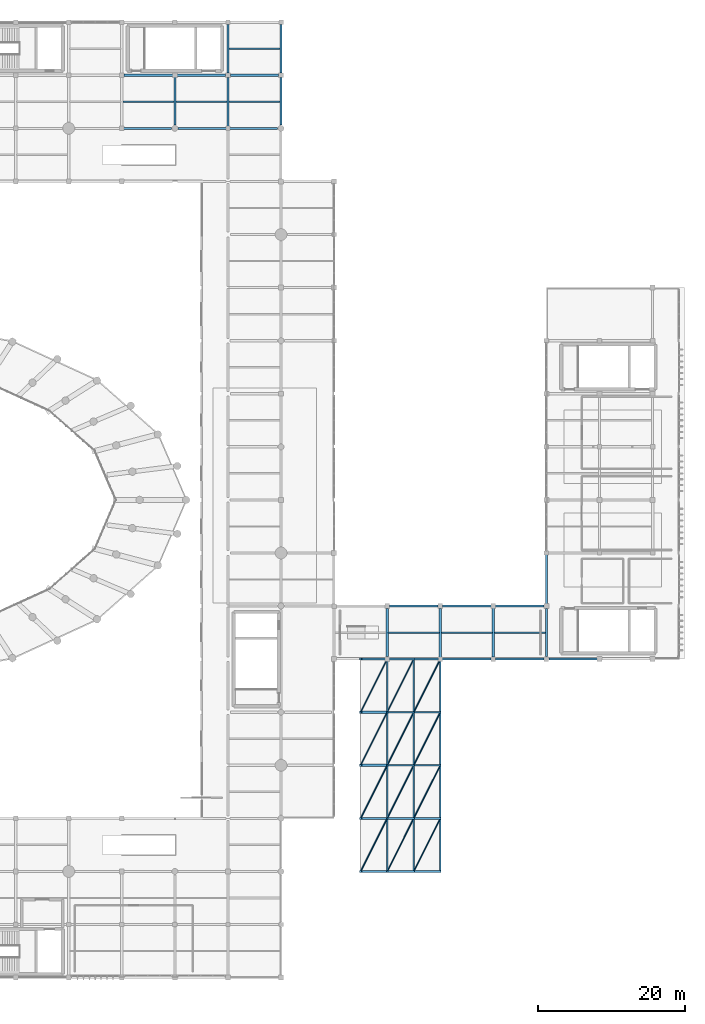
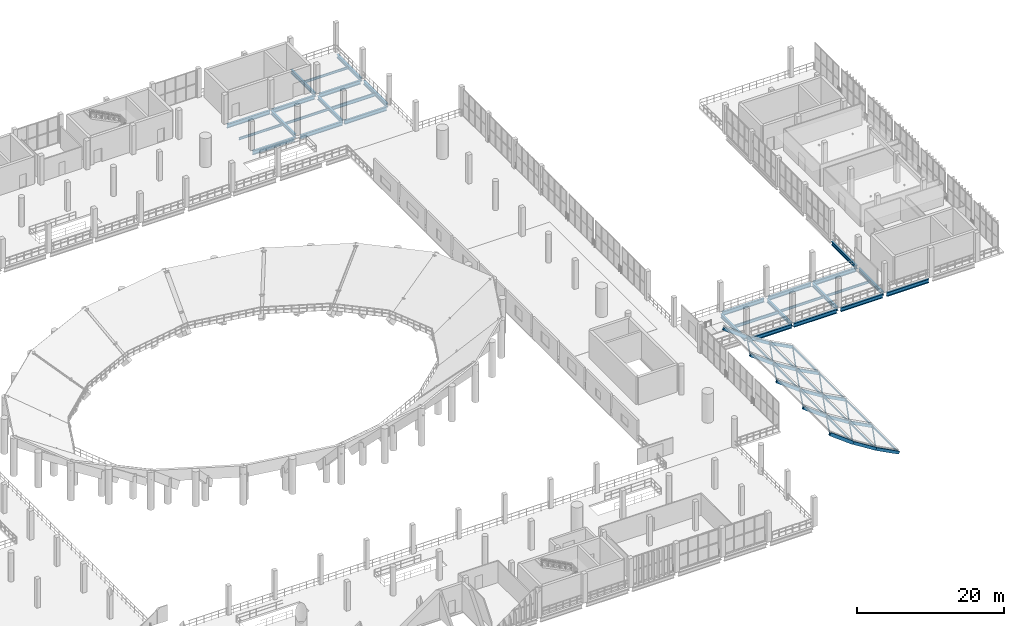
# One storey, part 55 of 105: 45 beams, 24 members.
"""IFC4 building model written with IfcOpenShell, lengths in metres."""

from ifc_helpers import new_model, si_unit, direction, frame, origin, origin_2d, place, context, subcontext, project, spatial, hollow_rectangle, hollow_circle, i_section, extrude, material, material_profile, profile_set, type_object, element, save


model = new_model("IFC4")

# Units and contexts
model_context = context("Model", 3, precision=1e-05, world=origin(), true_north=direction((0.0, 1.0)))
body_context = subcontext(model_context, "Body", "Model", "MODEL_VIEW")
ifc_project = project(units=[si_unit("LENGTHUNIT", "METRE"), si_unit("AREAUNIT", "SQUARE_METRE"), si_unit("VOLUMEUNIT", "CUBIC_METRE"), si_unit("PLANEANGLEUNIT", "RADIAN"), si_unit("MASSUNIT", "GRAM", prefix="KILO")], contexts=[model_context])

# Site, building, storey
site_placement = place(None, origin())
site = spatial("IfcSite", under=ifc_project, at=site_placement, CompositionType="ELEMENT")
building_placement = place(site_placement, origin())
building = spatial("IfcBuilding", under=site, at=building_placement, Name="Qandorah Velis Arena", CompositionType="ELEMENT")
storey_placement = place(building_placement, frame((0.0, 0.0, 13.800048828125)))
storey = spatial("IfcBuildingStorey", under=building, at=storey_placement, Name="L03", CompositionType="ELEMENT", Elevation=13.800048828125)

# Beams
ifc_material = material(Name="Steel S355", Category="steel")
ifc_material_profile_1 = material_profile(ifc_material, i_section(OverallWidth=0.300048828125, OverallDepth=0.60009765625, WebThickness=0.015380859375, FlangeThickness=0.030029296875, FilletRadius=0.027099609375, at=origin_2d()), Name="HEB 600")
ifc_profile_set_1 = profile_set([ifc_material_profile_1], Name="Steel S355")
beam_type_1 = type_object("IfcBeamType", Name="STR-BM-HEB600", PredefinedType="BEAM", material=ifc_profile_set_1)
beam_1_placement = place(storey_placement, frame((100.800048828125, 115.64990234375, -0.6201171875), z_axis=(0.0, 1.0, 0.0), x_axis=(-1.0, 0.0, 0.0)))
element("IfcBeam", 1, at=beam_1_placement, inside=storey, type_object=beam_type_1, Name="Primary floor girder L03 Y-280", PredefinedType="BEAM", context=body_context, shape_type="SweptSolid", body=[
    extrude(i_section(OverallWidth=0.300048828125, OverallDepth=0.60009765625, WebThickness=0.015380859375, FlangeThickness=0.030029296875, FilletRadius=0.027099609375, at=origin_2d()), origin(), (0.0, 0.0, 1.0), 6.60009765625),
])
beam_2_placement = place(storey_placement, frame((108.0, 115.35009765625, -0.6201171875), z_axis=(0.0, 1.0, 0.0), x_axis=(-1.0, 0.0, 0.0)))
element("IfcBeam", 2, at=beam_2_placement, inside=storey, type_object=beam_type_1, Name="Primary floor girder L03 Y-297", PredefinedType="BEAM", context=body_context, shape_type="SweptSolid", body=[
    extrude(i_section(OverallWidth=0.300048828125, OverallDepth=0.60009765625, WebThickness=0.015380859375, FlangeThickness=0.030029296875, FilletRadius=0.027099609375, at=origin_2d()), origin(), (0.0, 0.0, 1.0), 6.724853515625),
])
beam_3_placement = place(storey_placement, frame((108.0, 122.72509765625, -0.6201171875), z_axis=(0.0, 1.0, 0.0), x_axis=(-1.0, 0.0, 0.0)))
element("IfcBeam", 3, at=beam_3_placement, inside=storey, type_object=beam_type_1, Name="Primary floor girder L03 Y-298", PredefinedType="BEAM", context=body_context, shape_type="SweptSolid", body=[
    extrude(i_section(OverallWidth=0.300048828125, OverallDepth=0.60009765625, WebThickness=0.015380859375, FlangeThickness=0.030029296875, FilletRadius=0.027099609375, at=origin_2d()), origin(), (0.0, 0.0, 1.0), 6.574951171875),
])
beam_4_placement = place(storey_placement, frame((115.199951171875, 115.64990234375, -0.6201171875), z_axis=(0.0, 1.0, 0.0), x_axis=(-1.0, 0.0, 0.0)))
element("IfcBeam", 4, at=beam_4_placement, inside=storey, type_object=beam_type_1, Name="Primary floor girder L03 Y-314", PredefinedType="BEAM", context=body_context, shape_type="SweptSolid", body=[
    extrude(i_section(OverallWidth=0.300048828125, OverallDepth=0.60009765625, WebThickness=0.015380859375, FlangeThickness=0.030029296875, FilletRadius=0.027099609375, at=origin_2d()), origin(), (0.0, 0.0, 1.0), 6.425048828125),
])
beam_5_placement = place(storey_placement, frame((115.199951171875, 122.72509765625, -0.6201171875), z_axis=(0.0, 1.0, 0.0), x_axis=(-1.0, 0.0, 0.0)))
element("IfcBeam", 5, at=beam_5_placement, inside=storey, type_object=beam_type_1, Name="Primary floor girder L03 Y-315", PredefinedType="BEAM", context=body_context, shape_type="SweptSolid", body=[
    extrude(i_section(OverallWidth=0.300048828125, OverallDepth=0.60009765625, WebThickness=0.015380859375, FlangeThickness=0.030029296875, FilletRadius=0.027099609375, at=origin_2d()), origin(), (0.0, 0.0, 1.0), 6.574951171875),
])
beam_6_placement = place(storey_placement, frame((129.60009765625, 43.52490234375, -0.6201171875), z_axis=(0.0, 1.0, 0.0), x_axis=(-1.0, 0.0, 0.0)))
element("IfcBeam", 6, at=beam_6_placement, inside=storey, type_object=beam_type_1, Name="Primary floor girder L03 Y-323", PredefinedType="BEAM", context=body_context, shape_type="SweptSolid", body=[
    extrude(i_section(OverallWidth=0.300048828125, OverallDepth=0.60009765625, WebThickness=0.015380859375, FlangeThickness=0.030029296875, FilletRadius=0.027099609375, at=origin_2d()), origin(), (0.0, 0.0, 1.0), 6.5751953125),
])
beam_7_placement = place(storey_placement, frame((136.800048828125, 43.35009765625, -0.6201171875), z_axis=(0.0, 1.0, 0.0), x_axis=(-1.0, 0.0, 0.0)))
element("IfcBeam", 7, at=beam_7_placement, inside=storey, type_object=beam_type_1, Name="Primary floor girder L03 Y-324", PredefinedType="BEAM", context=body_context, shape_type="SweptSolid", body=[
    extrude(i_section(OverallWidth=0.300048828125, OverallDepth=0.60009765625, WebThickness=0.015380859375, FlangeThickness=0.030029296875, FilletRadius=0.027099609375, at=origin_2d()), origin(), (0.0, 0.0, 1.0), 6.724853515625),
])
beam_8_placement = place(storey_placement, frame((144.0, 43.5, -0.6201171875), z_axis=(0.0, 1.0, 0.0), x_axis=(-1.0, 0.0, 0.0)))
element("IfcBeam", 8, at=beam_8_placement, inside=storey, type_object=beam_type_1, Name="Primary floor girder L03 Y-325", PredefinedType="BEAM", context=body_context, shape_type="SweptSolid", body=[
    extrude(i_section(OverallWidth=0.300048828125, OverallDepth=0.60009765625, WebThickness=0.015380859375, FlangeThickness=0.030029296875, FilletRadius=0.027099609375, at=origin_2d()), origin(), (0.0, 0.0, 1.0), 6.75),
])
beam_9_placement = place(storey_placement, frame((151.199951171875, 43.52490234375, -0.6201171875), z_axis=(0.0, 1.0, 0.0), x_axis=(-1.0, 0.0, 0.0)))
element("IfcBeam", 9, at=beam_9_placement, inside=storey, type_object=beam_type_1, Name="Primary floor girder L03 Y-326", PredefinedType="BEAM", context=body_context, shape_type="SweptSolid", body=[
    extrude(i_section(OverallWidth=0.300048828125, OverallDepth=0.60009765625, WebThickness=0.015380859375, FlangeThickness=0.030029296875, FilletRadius=0.027099609375, at=origin_2d()), origin(), (0.0, 0.0, 1.0), 6.5751953125),
])
beam_10_placement = place(storey_placement, frame((151.199951171875, 50.699951171875, -0.6201171875), z_axis=(0.0, 1.0, 0.0), x_axis=(-1.0, 0.0, 0.0)))
element("IfcBeam", 10, at=beam_10_placement, inside=storey, type_object=beam_type_1, Name="Primary floor girder L03 Y-327", PredefinedType="BEAM", context=body_context, shape_type="SweptSolid", body=[
    extrude(i_section(OverallWidth=0.300048828125, OverallDepth=0.60009765625, WebThickness=0.015380859375, FlangeThickness=0.030029296875, FilletRadius=0.027099609375, at=origin_2d()), origin(), (0.0, 0.0, 1.0), 6.75),
])
ifc_material_profile_2 = material_profile(ifc_material, i_section(OverallWidth=0.300048828125, OverallDepth=0.64990234375, WebThickness=0.01611328125, FlangeThickness=0.031005859375, FilletRadius=0.027099609375, at=origin_2d()), Name="HEB 650")
ifc_profile_set_2 = profile_set([ifc_material_profile_2], Name="Steel S355")
beam_type_2 = type_object("IfcBeamType", Name="STR-BM-HEB650", PredefinedType="BEAM", material=ifc_profile_set_2)
beam_11_placement = place(storey_placement, frame((129.925048828125, 43.199951171875, -0.64501953125), z_axis=(1.0, 0.0, 0.0), x_axis=(0.0, 1.0, 0.0)))
element("IfcBeam", 11, at=beam_11_placement, inside=storey, type_object=beam_type_2, Name="Primary floor girder L03 X-070", PredefinedType="BEAM", context=body_context, shape_type="SweptSolid", body=[
    extrude(i_section(OverallWidth=0.300048828125, OverallDepth=0.64990234375, WebThickness=0.01611328125, FlangeThickness=0.031005859375, FilletRadius=0.027099609375, at=origin_2d()), origin(), (0.0, 0.0, 1.0), 6.724853515625),
])
beam_12_placement = place(storey_placement, frame((136.949951171875, 43.199951171875, -0.64501953125), z_axis=(1.0, 0.0, 0.0), x_axis=(0.0, 1.0, 0.0)))
element("IfcBeam", 12, at=beam_12_placement, inside=storey, type_object=beam_type_2, Name="Primary floor girder L03 X-071", PredefinedType="BEAM", context=body_context, shape_type="SweptSolid", body=[
    extrude(i_section(OverallWidth=0.300048828125, OverallDepth=0.64990234375, WebThickness=0.01611328125, FlangeThickness=0.031005859375, FilletRadius=0.027099609375, at=origin_2d()), origin(), (0.0, 0.0, 1.0), 6.75),
])
beam_13_placement = place(storey_placement, frame((144.300048828125, 43.199951171875, -0.64501953125), z_axis=(1.0, 0.0, 0.0), x_axis=(0.0, 1.0, 0.0)))
element("IfcBeam", 13, at=beam_13_placement, inside=storey, type_object=beam_type_2, Name="Primary floor girder L03 X-072", PredefinedType="BEAM", context=body_context, shape_type="SweptSolid", body=[
    extrude(i_section(OverallWidth=0.300048828125, OverallDepth=0.64990234375, WebThickness=0.01611328125, FlangeThickness=0.031005859375, FilletRadius=0.027099609375, at=origin_2d()), origin(), (0.0, 0.0, 1.0), 6.574951171875),
])
for number, where, z_axis, x_axis, name in (
    (14, (151.52490234375, 43.199951171875, -0.64501953125), (1.0, 0.0, 0.0), (0.0, 1.0, 0.0), "Primary floor girder L03 X-073"),
    (15, (129.89990234375, 50.39990234375, -0.64501953125), (1.0, 0.0, 0.0), (0.0, 1.0, 0.0), "Primary floor girder L03 X-080"),
):
    element("IfcBeam", number, at=place(storey_placement, frame(where, z_axis=z_axis, x_axis=x_axis)), inside=storey, type_object=beam_type_2, Name=name, PredefinedType="BEAM", context=body_context, shape_type="SweptSolid", body=[
        extrude(i_section(OverallWidth=0.300048828125, OverallDepth=0.64990234375, WebThickness=0.01611328125, FlangeThickness=0.031005859375, FilletRadius=0.027099609375, at=origin_2d()), origin(), (0.0, 0.0, 1.0), 6.5751953125),
    ])
beam_14_placement = place(storey_placement, frame((137.125, 50.39990234375, -0.64501953125), z_axis=(1.0, 0.0, 0.0), x_axis=(0.0, 1.0, 0.0)))
element("IfcBeam", 16, at=beam_14_placement, inside=storey, type_object=beam_type_2, Name="Primary floor girder L03 X-081", PredefinedType="BEAM", context=body_context, shape_type="SweptSolid", body=[
    extrude(i_section(OverallWidth=0.300048828125, OverallDepth=0.64990234375, WebThickness=0.01611328125, FlangeThickness=0.031005859375, FilletRadius=0.027099609375, at=origin_2d()), origin(), (0.0, 0.0, 1.0), 6.72509765625),
])
beam_15_placement = place(storey_placement, frame((144.14990234375, 50.39990234375, -0.64501953125), z_axis=(1.0, 0.0, 0.0), x_axis=(0.0, 1.0, 0.0)))
element("IfcBeam", 17, at=beam_15_placement, inside=storey, type_object=beam_type_2, Name="Primary floor girder L03 X-082", PredefinedType="BEAM", context=body_context, shape_type="SweptSolid", body=[
    extrude(i_section(OverallWidth=0.300048828125, OverallDepth=0.64990234375, WebThickness=0.01611328125, FlangeThickness=0.031005859375, FilletRadius=0.027099609375, at=origin_2d()), origin(), (0.0, 0.0, 1.0), 6.75),
])
for number, where, z_axis, x_axis, name in (
    (18, (93.75, 115.199951171875, -0.64501953125), (1.0, 0.0, 0.0), (0.0, 1.0, 0.0), "Primary floor girder L03 X-151"),
    (19, (101.25, 115.199951171875, -0.64501953125), (1.0, 0.0, 0.0), (0.0, 1.0, 0.0), "Primary floor girder L03 X-152"),
    (20, (108.14990234375, 115.199951171875, -0.64501953125), (1.0, 0.0, 0.0), (0.0, 1.0, 0.0), "Primary floor girder L03 X-153"),
):
    element("IfcBeam", number, at=place(storey_placement, frame(where, z_axis=z_axis, x_axis=x_axis)), inside=storey, type_object=beam_type_2, Name=name, PredefinedType="BEAM", context=body_context, shape_type="SweptSolid", body=[
        extrude(i_section(OverallWidth=0.300048828125, OverallDepth=0.64990234375, WebThickness=0.01611328125, FlangeThickness=0.031005859375, FilletRadius=0.027099609375, at=origin_2d()), origin(), (0.0, 0.0, 1.0), 6.60009765625),
    ])
beam_16_placement = place(storey_placement, frame((93.925048828125, 122.39990234375, -0.64501953125), z_axis=(1.0, 0.0, 0.0), x_axis=(0.0, 1.0, 0.0)))
element("IfcBeam", 21, at=beam_16_placement, inside=storey, type_object=beam_type_2, Name="Primary floor girder L03 X-163", PredefinedType="BEAM", context=body_context, shape_type="SweptSolid", body=[
    extrude(i_section(OverallWidth=0.300048828125, OverallDepth=0.64990234375, WebThickness=0.01611328125, FlangeThickness=0.031005859375, FilletRadius=0.027099609375, at=origin_2d()), origin(), (0.0, 0.0, 1.0), 6.724853515625),
])
beam_17_placement = place(storey_placement, frame((100.949951171875, 122.39990234375, -0.64501953125), z_axis=(1.0, 0.0, 0.0), x_axis=(0.0, 1.0, 0.0)))
element("IfcBeam", 22, at=beam_17_placement, inside=storey, type_object=beam_type_2, Name="Primary floor girder L03 X-164", PredefinedType="BEAM", context=body_context, shape_type="SweptSolid", body=[
    extrude(i_section(OverallWidth=0.300048828125, OverallDepth=0.64990234375, WebThickness=0.01611328125, FlangeThickness=0.031005859375, FilletRadius=0.027099609375, at=origin_2d()), origin(), (0.0, 0.0, 1.0), 6.72509765625),
])
beam_18_placement = place(storey_placement, frame((108.324951171875, 122.39990234375, -0.64501953125), z_axis=(1.0, 0.0, 0.0), x_axis=(0.0, 1.0, 0.0)))
element("IfcBeam", 23, at=beam_18_placement, inside=storey, type_object=beam_type_2, Name="Primary floor girder L03 X-165", PredefinedType="BEAM", context=body_context, shape_type="SweptSolid", body=[
    extrude(i_section(OverallWidth=0.300048828125, OverallDepth=0.64990234375, WebThickness=0.01611328125, FlangeThickness=0.031005859375, FilletRadius=0.027099609375, at=origin_2d()), origin(), (0.0, 0.0, 1.0), 6.550048828125),
])
ifc_material_profile_3 = material_profile(ifc_material, hollow_rectangle(XDim=0.25, YDim=0.449951171875, WallThickness=0.01611328125, at=origin_2d()), Name="RHS 450x250x16")
ifc_profile_set_3 = profile_set([ifc_material_profile_3], Name="Steel S355")
beam_type_3 = type_object("IfcBeamType", Name="STR-CRB-RHS450", PredefinedType="USERDEFINED", material=ifc_profile_set_3)
beam_19_placement = place(storey_placement, frame((129.60009765625, 14.39990234375, -0.05859375), z_axis=(0.84610057567, 0.0, -0.533023278901), x_axis=(0.0, 1.0, 0.0)))
element("IfcBeam", 24, at=beam_19_placement, inside=storey, type_object=beam_type_3, Name="Sweeping canopy rib CRB-1.05", ObjectType="ROOF TRUSS", PredefinedType="USERDEFINED", context=body_context, shape_type="SweptSolid", body=[
    extrude(hollow_rectangle(XDim=0.25, YDim=0.449951171875, WallThickness=0.01611328125, at=origin_2d()), origin(), (0.0, 0.0, 1.0), 4.254638671875),
])
beam_20_placement = place(storey_placement, frame((133.199951171875, 14.39990234375, -2.326416015625), z_axis=(0.885636317238, 0.0, -0.464379493075), x_axis=(0.0, 1.0, 0.0)))
element("IfcBeam", 25, at=beam_20_placement, inside=storey, type_object=beam_type_3, Name="Sweeping canopy rib CRB-1.06", ObjectType="ROOF TRUSS", PredefinedType="USERDEFINED", context=body_context, shape_type="SweptSolid", body=[
    extrude(hollow_rectangle(XDim=0.25, YDim=0.449951171875, WallThickness=0.01611328125, at=origin_2d()), origin(), (0.0, 0.0, 1.0), 4.06494140625),
])
beam_21_placement = place(storey_placement, frame((129.60009765625, 21.60009765625, -0.05859375), z_axis=(0.84610057567, 0.0, -0.533023278901), x_axis=(0.0, 1.0, 0.0)))
element("IfcBeam", 26, at=beam_21_placement, inside=storey, type_object=beam_type_3, Name="Sweeping canopy rib CRB-2.05", ObjectType="ROOF TRUSS", PredefinedType="USERDEFINED", context=body_context, shape_type="SweptSolid", body=[
    extrude(hollow_rectangle(XDim=0.25, YDim=0.449951171875, WallThickness=0.01611328125, at=origin_2d()), origin(), (0.0, 0.0, 1.0), 4.254638671875),
])
beam_22_placement = place(storey_placement, frame((133.199951171875, 21.60009765625, -2.326416015625), z_axis=(0.885636317238, 0.0, -0.464379493075), x_axis=(0.0, 1.0, 0.0)))
element("IfcBeam", 27, at=beam_22_placement, inside=storey, type_object=beam_type_3, Name="Sweeping canopy rib CRB-2.06", ObjectType="ROOF TRUSS", PredefinedType="USERDEFINED", context=body_context, shape_type="SweptSolid", body=[
    extrude(hollow_rectangle(XDim=0.25, YDim=0.449951171875, WallThickness=0.01611328125, at=origin_2d()), origin(), (0.0, 0.0, 1.0), 4.06494140625),
])
beam_23_placement = place(storey_placement, frame((129.60009765625, 28.800048828125, -0.05859375), z_axis=(0.84610057567, 0.0, -0.533023278901), x_axis=(0.0, 1.0, 0.0)))
element("IfcBeam", 28, at=beam_23_placement, inside=storey, type_object=beam_type_3, Name="Sweeping canopy rib CRB-3.05", ObjectType="ROOF TRUSS", PredefinedType="USERDEFINED", context=body_context, shape_type="SweptSolid", body=[
    extrude(hollow_rectangle(XDim=0.25, YDim=0.449951171875, WallThickness=0.01611328125, at=origin_2d()), origin(), (0.0, 0.0, 1.0), 4.254638671875),
])
beam_24_placement = place(storey_placement, frame((133.199951171875, 28.800048828125, -2.326416015625), z_axis=(0.885636317238, 0.0, -0.464379493075), x_axis=(0.0, 1.0, 0.0)))
element("IfcBeam", 29, at=beam_24_placement, inside=storey, type_object=beam_type_3, Name="Sweeping canopy rib CRB-3.06", ObjectType="ROOF TRUSS", PredefinedType="USERDEFINED", context=body_context, shape_type="SweptSolid", body=[
    extrude(hollow_rectangle(XDim=0.25, YDim=0.449951171875, WallThickness=0.01611328125, at=origin_2d()), origin(), (0.0, 0.0, 1.0), 4.06494140625),
])
beam_25_placement = place(storey_placement, frame((129.60009765625, 36.0, -0.05859375), z_axis=(0.84610057567, 0.0, -0.533023278901), x_axis=(0.0, 1.0, 0.0)))
element("IfcBeam", 30, at=beam_25_placement, inside=storey, type_object=beam_type_3, Name="Sweeping canopy rib CRB-4.05", ObjectType="ROOF TRUSS", PredefinedType="USERDEFINED", context=body_context, shape_type="SweptSolid", body=[
    extrude(hollow_rectangle(XDim=0.25, YDim=0.449951171875, WallThickness=0.01611328125, at=origin_2d()), origin(), (0.0, 0.0, 1.0), 4.254638671875),
])
beam_26_placement = place(storey_placement, frame((133.199951171875, 36.0, -2.326416015625), z_axis=(0.885636317238, 0.0, -0.464379493075), x_axis=(0.0, 1.0, 0.0)))
element("IfcBeam", 31, at=beam_26_placement, inside=storey, type_object=beam_type_3, Name="Sweeping canopy rib CRB-4.06", ObjectType="ROOF TRUSS", PredefinedType="USERDEFINED", context=body_context, shape_type="SweptSolid", body=[
    extrude(hollow_rectangle(XDim=0.25, YDim=0.449951171875, WallThickness=0.01611328125, at=origin_2d()), origin(), (0.0, 0.0, 1.0), 4.06494140625),
])
beam_27_placement = place(storey_placement, frame((129.60009765625, 43.199951171875, -0.05859375), z_axis=(0.84610057567, 0.0, -0.533023278901), x_axis=(0.0, 1.0, 0.0)))
element("IfcBeam", 32, at=beam_27_placement, inside=storey, type_object=beam_type_3, Name="Sweeping canopy rib CRB-5.05", ObjectType="ROOF TRUSS", PredefinedType="USERDEFINED", context=body_context, shape_type="SweptSolid", body=[
    extrude(hollow_rectangle(XDim=0.25, YDim=0.449951171875, WallThickness=0.01611328125, at=origin_2d()), origin(), (0.0, 0.0, 1.0), 4.254638671875),
])
beam_28_placement = place(storey_placement, frame((133.199951171875, 43.199951171875, -2.326416015625), z_axis=(0.885636317238, 0.0, -0.464379493075), x_axis=(0.0, 1.0, 0.0)))
element("IfcBeam", 33, at=beam_28_placement, inside=storey, type_object=beam_type_3, Name="Sweeping canopy rib CRB-5.06", ObjectType="ROOF TRUSS", PredefinedType="USERDEFINED", context=body_context, shape_type="SweptSolid", body=[
    extrude(hollow_rectangle(XDim=0.25, YDim=0.449951171875, WallThickness=0.01611328125, at=origin_2d()), origin(), (0.0, 0.0, 1.0), 4.06494140625),
])
ifc_material_profile_4 = material_profile(ifc_material, hollow_rectangle(XDim=0.300048828125, YDim=0.5, WallThickness=0.02001953125, at=origin_2d()), Name="RHS 500x300x20")
ifc_profile_set_4 = profile_set([ifc_material_profile_4], Name="Steel S355")
beam_type_4 = type_object("IfcBeamType", Name="STR-CRB-RHS500", PredefinedType="USERDEFINED", material=ifc_profile_set_4)
for number, where, z_axis, x_axis, name in (
    (34, (126.0, 14.39990234375, 2.653564453125), (0.798711208805, 0.0, -0.601714554361), (0.0, 1.0, 0.0), "Sweeping canopy rib CRB-1.04"),
    (35, (126.0, 21.60009765625, 2.653564453125), (0.798711208805, 0.0, -0.601714554361), (0.0, 1.0, 0.0), "Sweeping canopy rib CRB-2.04"),
    (36, (126.0, 28.800048828125, 2.653564453125), (0.798711208805, 0.0, -0.601714554361), (0.0, 1.0, 0.0), "Sweeping canopy rib CRB-3.04"),
    (37, (126.0, 36.0, 2.653564453125), (0.798711208805, 0.0, -0.601714554361), (0.0, 1.0, 0.0), "Sweeping canopy rib CRB-4.04"),
    (38, (126.0, 43.199951171875, 2.653564453125), (0.798711208805, 0.0, -0.601714554361), (0.0, 1.0, 0.0), "Sweeping canopy rib CRB-5.04"),
):
    element("IfcBeam", number, at=place(storey_placement, frame(where, z_axis=z_axis, x_axis=x_axis)), inside=storey, type_object=beam_type_4, Name=name, ObjectType="ROOF TRUSS", PredefinedType="USERDEFINED", context=body_context, shape_type="SweptSolid", body=[
        extrude(hollow_rectangle(XDim=0.300048828125, YDim=0.5, WallThickness=0.02001953125, at=origin_2d()), origin(), (0.0, 0.0, 1.0), 4.50732421875),
    ])
ifc_material_profile_5 = material_profile(ifc_material, i_section(OverallWidth=0.179931640625, OverallDepth=0.39990234375, WebThickness=0.008544921875, FlangeThickness=0.013427734375, FilletRadius=0.02099609375, at=origin_2d()), Name="IPE 400")
ifc_profile_set_5 = profile_set([ifc_material_profile_5], Name="Steel S355")
beam_type_5 = type_object("IfcBeamType", Name="STR-JST-IPE400", PredefinedType="JOIST", material=ifc_profile_set_5)
for number, where, z_axis, x_axis, name in (
    (39, (93.735107421875, 118.800048828125, -0.52001953125), (1.0, 0.0, 0.0), (0.0, 1.0, 0.0), "Secondary floor joist L03-069"),
    (40, (100.93505859375, 118.800048828125, -0.52001953125), (1.0, 0.0, 0.0), (0.0, 1.0, 0.0), "Secondary floor joist L03-072"),
    (41, (108.135009765625, 126.0, -0.52001953125), (1.0, 0.0, 0.0), (0.0, 1.0, 0.0), "Secondary floor joist L03-088"),
    (42, (136.93505859375, 46.800048828125, -0.52001953125), (1.0, 0.0, 0.0), (0.0, 1.0, 0.0), "Secondary floor joist L03-096"),
    (43, (144.135009765625, 46.800048828125, -0.52001953125), (1.0, 0.0, 0.0), (0.0, 1.0, 0.0), "Secondary floor joist L03-097"),
):
    element("IfcBeam", number, at=place(storey_placement, frame(where, z_axis=z_axis, x_axis=x_axis)), inside=storey, type_object=beam_type_5, Name=name, PredefinedType="JOIST", context=body_context, shape_type="SweptSolid", body=[
        extrude(i_section(OverallWidth=0.179931640625, OverallDepth=0.39990234375, WebThickness=0.008544921875, FlangeThickness=0.013427734375, FilletRadius=0.02099609375, at=origin_2d()), origin(), (0.0, 0.0, 1.0), 6.929931640625),
    ])
ifc_material_profile_6 = material_profile(ifc_material, i_section(OverallWidth=0.199951171875, OverallDepth=0.5, WebThickness=0.01025390625, FlangeThickness=0.01611328125, FilletRadius=0.02099609375, at=origin_2d()), Name="IPE 500")
ifc_profile_set_6 = profile_set([ifc_material_profile_6], Name="Steel S355")
beam_type_6 = type_object("IfcBeamType", Name="STR-JST-IPE500", PredefinedType="JOIST", material=ifc_profile_set_6)
beam_29_placement = place(storey_placement, frame((129.735107421875, 46.800048828125, -0.570068359375), z_axis=(1.0, 0.0, 0.0), x_axis=(0.0, 1.0, 0.0)))
element("IfcBeam", 44, at=beam_29_placement, inside=storey, type_object=beam_type_6, Name="Secondary floor joist L03-095", PredefinedType="JOIST", context=body_context, shape_type="SweptSolid", body=[
    extrude(i_section(OverallWidth=0.199951171875, OverallDepth=0.5, WebThickness=0.01025390625, FlangeThickness=0.01611328125, FilletRadius=0.02099609375, at=origin_2d()), origin(), (0.0, 0.0, 1.0), 6.929931640625),
])
ifc_material_profile_7 = material_profile(ifc_material, i_section(OverallWidth=0.2099609375, OverallDepth=0.550048828125, WebThickness=0.010986328125, FlangeThickness=0.01708984375, FilletRadius=0.02392578125, at=origin_2d()), Name="IPE 550")
ifc_profile_set_7 = profile_set([ifc_material_profile_7], Name="Steel S355")
beam_type_7 = type_object("IfcBeamType", Name="STR-JST-IPE550", PredefinedType="JOIST", material=ifc_profile_set_7)
beam_30_placement = place(storey_placement, frame((108.135009765625, 118.800048828125, -0.594970703125), z_axis=(1.0, 0.0, 0.0), x_axis=(0.0, 1.0, 0.0)))
element("IfcBeam", 45, at=beam_30_placement, inside=storey, type_object=beam_type_7, Name="Secondary floor joist L03-087", PredefinedType="JOIST", context=body_context, shape_type="SweptSolid", body=[
    extrude(i_section(OverallWidth=0.2099609375, OverallDepth=0.550048828125, WebThickness=0.010986328125, FlangeThickness=0.01708984375, FilletRadius=0.02392578125, at=origin_2d()), origin(), (0.0, 0.0, 1.0), 6.929931640625),
])

# Members
ifc_material_profile_8 = material_profile(ifc_material, hollow_rectangle(XDim=0.14990234375, YDim=0.25, WallThickness=0.010009765625, at=origin_2d()), Name="RHS 250x150x10")
ifc_profile_set_8 = profile_set([ifc_material_profile_8], Name="Steel S355")
member_type_1 = type_object("IfcMemberType", Name="STR-PRL-RHS250", PredefinedType="PURLIN", material=ifc_profile_set_8)
for number, where, z_axis, x_axis, name in (
    (46, (129.60009765625, 14.39990234375, -0.05859375), (0.0, 1.0, 0.0), (-1.0, 0.0, 0.0), "Canopy cross purlin CPR-1.04"),
    (47, (133.199951171875, 14.39990234375, -2.326416015625), (0.0, 1.0, 0.0), (-1.0, 0.0, 0.0), "Canopy cross purlin CPR-1.05"),
    (48, (136.800048828125, 14.39990234375, -4.214111328125), (0.0, 1.0, 0.0), (-1.0, 0.0, 0.0), "Canopy cross purlin CPR-1.06"),
):
    element("IfcMember", number, at=place(storey_placement, frame(where, z_axis=z_axis, x_axis=x_axis)), inside=storey, type_object=member_type_1, Name=name, PredefinedType="PURLIN", context=body_context, shape_type="SweptSolid", body=[
        extrude(hollow_rectangle(XDim=0.14990234375, YDim=0.25, WallThickness=0.010009765625, at=origin_2d()), origin(), (0.0, 0.0, 1.0), 7.2001953125),
    ])
for number, where, z_axis, x_axis, name in (
    (49, (129.60009765625, 21.60009765625, -0.05859375), (0.0, 1.0, 0.0), (-1.0, 0.0, 0.0), "Canopy cross purlin CPR-2.04"),
    (50, (133.199951171875, 21.60009765625, -2.326416015625), (0.0, 1.0, 0.0), (-1.0, 0.0, 0.0), "Canopy cross purlin CPR-2.05"),
    (51, (136.800048828125, 21.60009765625, -4.214111328125), (0.0, 1.0, 0.0), (-1.0, 0.0, 0.0), "Canopy cross purlin CPR-2.06"),
    (52, (129.60009765625, 28.800048828125, -0.05859375), (0.0, 1.0, 0.0), (-1.0, 0.0, 0.0), "Canopy cross purlin CPR-3.04"),
    (53, (133.199951171875, 28.800048828125, -2.326416015625), (0.0, 1.0, 0.0), (-1.0, 0.0, 0.0), "Canopy cross purlin CPR-3.05"),
    (54, (136.800048828125, 28.800048828125, -4.214111328125), (0.0, 1.0, 0.0), (-1.0, 0.0, 0.0), "Canopy cross purlin CPR-3.06"),
    (55, (129.60009765625, 36.0, -0.05859375), (0.0, 1.0, 0.0), (-1.0, 0.0, 0.0), "Canopy cross purlin CPR-4.04"),
    (56, (133.199951171875, 36.0, -2.326416015625), (0.0, 1.0, 0.0), (-1.0, 0.0, 0.0), "Canopy cross purlin CPR-4.05"),
    (57, (136.800048828125, 36.0, -4.214111328125), (0.0, 1.0, 0.0), (-1.0, 0.0, 0.0), "Canopy cross purlin CPR-4.06"),
):
    element("IfcMember", number, at=place(storey_placement, frame(where, z_axis=z_axis, x_axis=x_axis)), inside=storey, type_object=member_type_1, Name=name, PredefinedType="PURLIN", context=body_context, shape_type="SweptSolid", body=[
        extrude(hollow_rectangle(XDim=0.14990234375, YDim=0.25, WallThickness=0.010009765625, at=origin_2d()), origin(), (0.0, 0.0, 1.0), 7.199951171875),
    ])
ifc_material_profile_9 = material_profile(ifc_material, hollow_circle(Radius=0.096923828125, WallThickness=0.010009765625, at=origin_2d()), Name="CHS 193.7x10")
ifc_profile_set_9 = profile_set([ifc_material_profile_9], Name="Steel S355")
member_type_2 = type_object("IfcMemberType", Name="STR-SFD-CHS193X10", PredefinedType="STRUT", material=ifc_profile_set_9)
member_1_placement = place(storey_placement, frame((126.0, 14.39990234375, 2.653564453125), z_axis=(0.42380694791, 0.847613895819, -0.319277864121), x_axis=(-0.894427191, 0.4472135955, 0.0)))
element("IfcMember", 58, at=member_1_placement, inside=storey, type_object=member_type_2, Name="Canopy roof plane diagonal CDG-1.04", PredefinedType="STRUT", context=body_context, shape_type="SweptSolid", body=[
    extrude(hollow_circle(Radius=0.096923828125, WallThickness=0.010009765625, at=origin_2d()), origin(), (0.0, 0.0, 1.0), 8.49462890625),
])
member_2_placement = place(storey_placement, frame((129.60009765625, 14.39990234375, -0.05859375), z_axis=(0.430434613558, 0.860927610922, -0.271163589375), x_axis=(-0.894439321951, 0.447189332774, 0.0)))
element("IfcMember", 59, at=member_2_placement, inside=storey, type_object=member_type_2, Name="Canopy roof plane diagonal CDG-1.05", PredefinedType="STRUT", context=body_context, shape_type="SweptSolid", body=[
    extrude(hollow_circle(Radius=0.096923828125, WallThickness=0.010009765625, at=origin_2d()), origin(), (0.0, 0.0, 1.0), 8.36328125),
])
member_3_placement = place(storey_placement, frame((133.199951171875, 14.39990234375, -2.326416015625), z_axis=(0.435402890875, 0.87080578175, -0.228301583632), x_axis=(-0.894427191, 0.4472135955, 0.0)))
element("IfcMember", 60, at=member_3_placement, inside=storey, type_object=member_type_2, Name="Canopy roof plane diagonal CDG-1.06", PredefinedType="STRUT", context=body_context, shape_type="SweptSolid", body=[
    extrude(hollow_circle(Radius=0.096923828125, WallThickness=0.010009765625, at=origin_2d()), origin(), (0.0, 0.0, 1.0), 8.268310546875),
])
member_4_placement = place(storey_placement, frame((126.0, 21.60009765625, 2.653564453125), z_axis=(0.423817272397, 0.847605803625, -0.319285642144), x_axis=(-0.894421125195, 0.447225726904, 0.0)))
element("IfcMember", 61, at=member_4_placement, inside=storey, type_object=member_type_2, Name="Canopy roof plane diagonal CDG-2.04", PredefinedType="STRUT", context=body_context, shape_type="SweptSolid", body=[
    extrude(hollow_circle(Radius=0.096923828125, WallThickness=0.010009765625, at=origin_2d()), origin(), (0.0, 0.0, 1.0), 8.494384765625),
])
member_5_placement = place(storey_placement, frame((129.60009765625, 21.60009765625, -0.05859375), z_axis=(0.430445431515, 0.860920055666, -0.271170404431), x_axis=(-0.894433256723, 0.447201463849, 0.0)))
element("IfcMember", 62, at=member_5_placement, inside=storey, type_object=member_type_2, Name="Canopy roof plane diagonal CDG-2.05", PredefinedType="STRUT", context=body_context, shape_type="SweptSolid", body=[
    extrude(hollow_circle(Radius=0.096923828125, WallThickness=0.010009765625, at=origin_2d()), origin(), (0.0, 0.0, 1.0), 8.363037109375),
])
member_6_placement = place(storey_placement, frame((133.199951171875, 21.60009765625, -2.326416015625), z_axis=(0.435414086261, 0.870798644915, -0.228307453884), x_axis=(-0.894421125195, 0.447225726904, 0.0)))
element("IfcMember", 63, at=member_6_placement, inside=storey, type_object=member_type_2, Name="Canopy roof plane diagonal CDG-2.06", PredefinedType="STRUT", context=body_context, shape_type="SweptSolid", body=[
    extrude(hollow_circle(Radius=0.096923828125, WallThickness=0.010009765625, at=origin_2d()), origin(), (0.0, 0.0, 1.0), 8.268310546875),
])
member_7_placement = place(storey_placement, frame((126.0, 28.800048828125, 2.653564453125), z_axis=(0.423817272397, 0.847605803625, -0.319285642144), x_axis=(-0.894421125195, 0.447225726904, 0.0)))
element("IfcMember", 64, at=member_7_placement, inside=storey, type_object=member_type_2, Name="Canopy roof plane diagonal CDG-3.04", PredefinedType="STRUT", context=body_context, shape_type="SweptSolid", body=[
    extrude(hollow_circle(Radius=0.096923828125, WallThickness=0.010009765625, at=origin_2d()), origin(), (0.0, 0.0, 1.0), 8.494384765625),
])
member_8_placement = place(storey_placement, frame((129.60009765625, 28.800048828125, -0.05859375), z_axis=(0.430445431515, 0.860920055666, -0.271170404431), x_axis=(-0.894433256723, 0.447201463849, 0.0)))
element("IfcMember", 65, at=member_8_placement, inside=storey, type_object=member_type_2, Name="Canopy roof plane diagonal CDG-3.05", PredefinedType="STRUT", context=body_context, shape_type="SweptSolid", body=[
    extrude(hollow_circle(Radius=0.096923828125, WallThickness=0.010009765625, at=origin_2d()), origin(), (0.0, 0.0, 1.0), 8.363037109375),
])
member_9_placement = place(storey_placement, frame((133.199951171875, 28.800048828125, -2.326416015625), z_axis=(0.435414086261, 0.870798644915, -0.228307453884), x_axis=(-0.894421125195, 0.447225726904, 0.0)))
element("IfcMember", 66, at=member_9_placement, inside=storey, type_object=member_type_2, Name="Canopy roof plane diagonal CDG-3.06", PredefinedType="STRUT", context=body_context, shape_type="SweptSolid", body=[
    extrude(hollow_circle(Radius=0.096923828125, WallThickness=0.010009765625, at=origin_2d()), origin(), (0.0, 0.0, 1.0), 8.268310546875),
])
member_10_placement = place(storey_placement, frame((126.0, 36.0, 2.653564453125), z_axis=(0.423817272397, 0.847605803625, -0.319285642144), x_axis=(-0.894421125195, 0.447225726904, 0.0)))
element("IfcMember", 67, at=member_10_placement, inside=storey, type_object=member_type_2, Name="Canopy roof plane diagonal CDG-4.04", PredefinedType="STRUT", context=body_context, shape_type="SweptSolid", body=[
    extrude(hollow_circle(Radius=0.096923828125, WallThickness=0.010009765625, at=origin_2d()), origin(), (0.0, 0.0, 1.0), 8.494384765625),
])
member_11_placement = place(storey_placement, frame((129.60009765625, 36.0, -0.05859375), z_axis=(0.430445431515, 0.860920055666, -0.271170404431), x_axis=(-0.894433256723, 0.447201463849, 0.0)))
element("IfcMember", 68, at=member_11_placement, inside=storey, type_object=member_type_2, Name="Canopy roof plane diagonal CDG-4.05", PredefinedType="STRUT", context=body_context, shape_type="SweptSolid", body=[
    extrude(hollow_circle(Radius=0.096923828125, WallThickness=0.010009765625, at=origin_2d()), origin(), (0.0, 0.0, 1.0), 8.363037109375),
])
member_12_placement = place(storey_placement, frame((133.199951171875, 36.0, -2.326416015625), z_axis=(0.435414086261, 0.870798644915, -0.228307453884), x_axis=(-0.894421125195, 0.447225726904, 0.0)))
element("IfcMember", 69, at=member_12_placement, inside=storey, type_object=member_type_2, Name="Canopy roof plane diagonal CDG-4.06", PredefinedType="STRUT", context=body_context, shape_type="SweptSolid", body=[
    extrude(hollow_circle(Radius=0.096923828125, WallThickness=0.010009765625, at=origin_2d()), origin(), (0.0, 0.0, 1.0), 8.268310546875),
])

save(model, "model.ifc")
